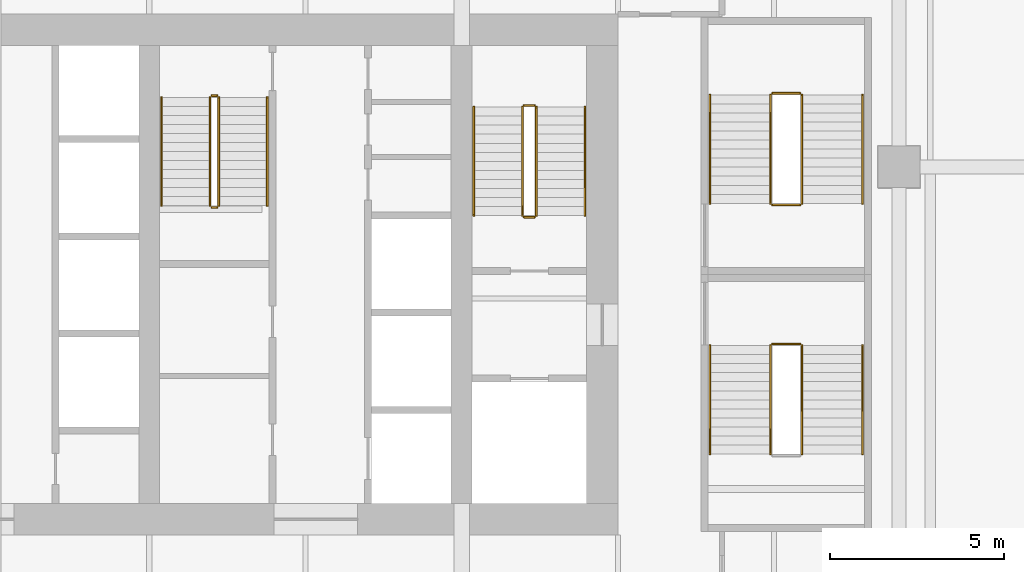
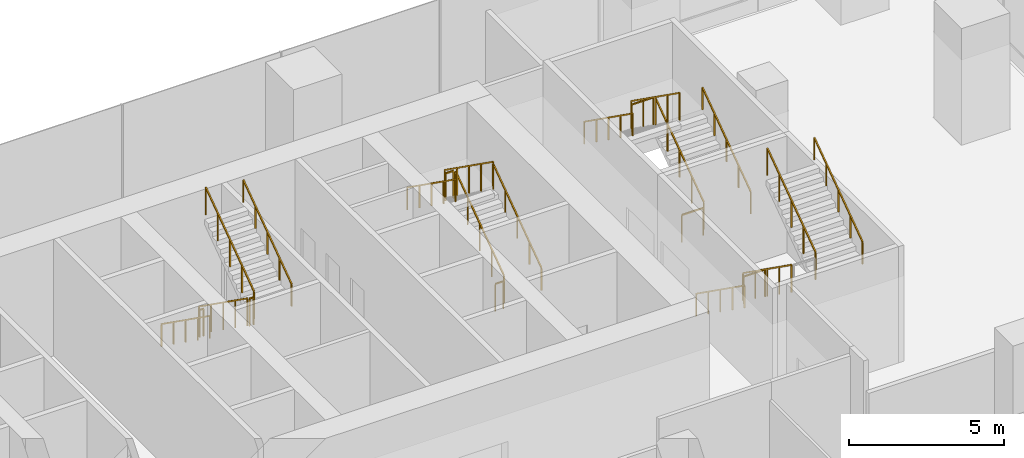
# One storey, part 28 of 29: 23 railings.
"""IFC4 building model written with IfcOpenShell, lengths in metres."""

from ifc_helpers import new_model, si_unit, direction, frame, origin, origin_2d, place, context, subcontext, project, spatial, rectangle, extrude, material, type_object, element, save


model = new_model("IFC4")

# Units and contexts
model_context = context("Model", 3, precision=1e-05, world=origin(), true_north=direction((0.0, 1.0)))
body_context = subcontext(model_context, "Body", "Model", "MODEL_VIEW")
ifc_project = project(units=[si_unit("LENGTHUNIT", "METRE"), si_unit("AREAUNIT", "SQUARE_METRE"), si_unit("VOLUMEUNIT", "CUBIC_METRE"), si_unit("PLANEANGLEUNIT", "RADIAN"), si_unit("MASSUNIT", "GRAM", prefix="KILO")], contexts=[model_context])

# Site, building, storey
site_placement = place(None, origin())
site = spatial("IfcSite", under=ifc_project, at=site_placement, CompositionType="ELEMENT")
building_placement = place(site_placement, origin())
building = spatial("IfcBuilding", under=site, at=building_placement, Name="Rattan Terrace Tower", CompositionType="ELEMENT")
storey_placement = place(building_placement, frame((0.0, 0.0, 12.60009765625)))
storey = spatial("IfcBuildingStorey", under=building, at=storey_placement, Name="L02", CompositionType="ELEMENT", Elevation=12.60009765625)

# Railings
ifc_material_1 = material(Name="Powder-coated steel guard", Category="steel")
railing_type_1 = type_object("IfcRailingType", Name="Core stair guard", PredefinedType="GUARDRAIL", material=ifc_material_1)
railing_1_placement = place(storey_placement, frame((15.64990234375, 1.699951171875, 0.1845703125)))
element("IfcRailing", 1, at=railing_1_placement, inside=storey, type_object=railing_type_1, Name="L02 S2 stair guard 1", PredefinedType="GUARDRAIL", context=body_context, shape_type="SweptSolid", body=[
    extrude(rectangle(XDim=0.048095703125, YDim=0.048095703125, at=origin_2d()), frame((0.0, 0.0, 1.076171875), z_axis=(0.0, 0.815376961211, 0.578930402662), x_axis=(-1.0, 0.0, 0.0)), (0.0, 0.0, 1.0), 3.82666015625),
    extrude(rectangle(XDim=0.0419921875, YDim=0.0419921875, at=origin_2d()), origin(), (0.0, 0.0, 1.0), 1.052001953125),
    extrude(rectangle(XDim=0.0419921875, YDim=0.0419921875, at=origin_2d()), frame((0.0, 0.780029296875, 0.5537109375)), (0.0, 0.0, 1.0), 1.052001953125),
    extrude(rectangle(XDim=0.0419921875, YDim=0.0419921875, at=origin_2d()), frame((0.0, 1.56005859375, 1.107666015625)), (0.0, 0.0, 1.0), 1.052001953125),
    extrude(rectangle(XDim=0.0419921875, YDim=0.0419921875, at=origin_2d()), frame((0.0, 2.340087890625, 1.66162109375)), (0.0, 0.0, 1.0), 1.052001953125),
    extrude(rectangle(XDim=0.0419921875, YDim=0.0419921875, at=origin_2d()), frame((0.0, 3.1201171875, 2.21533203125)), (0.0, 0.0, 1.0), 1.052001953125),
])
railing_2_placement = place(storey_placement, frame((15.60009765625, 4.8701171875, 2.39990234375)))
element("IfcRailing", 2, at=railing_2_placement, inside=storey, type_object=railing_type_1, Name="L02 S2 stair guard 2", PredefinedType="GUARDRAIL", context=body_context, shape_type="SweptSolid", body=[
    extrude(rectangle(XDim=0.048095703125, YDim=0.048095703125, at=origin_2d()), frame((0.0, 0.0, 1.076171875), z_axis=(-1.0, 0.0, 0.0), x_axis=(0.0, -1.0, 0.0)), (0.0, 0.0, 1.0), 0.300048828125),
    extrude(rectangle(XDim=0.0419921875, YDim=0.0419921875, at=origin_2d()), origin(), (0.0, 0.0, 1.0), 1.052001953125),
    extrude(rectangle(XDim=0.0419921875, YDim=0.0419921875, at=origin_2d()), frame((-0.300048828125, 0.0, 0.0)), (0.0, 0.0, 1.0), 1.052001953125),
])
railing_3_placement = place(storey_placement, frame((15.25, 4.820068359375, 2.58447265625)))
element("IfcRailing", 3, at=railing_3_placement, inside=storey, type_object=railing_type_1, Name="L02 S2 stair guard 3", PredefinedType="GUARDRAIL", context=body_context, shape_type="SweptSolid", body=[
    extrude(rectangle(XDim=0.048095703125, YDim=0.048095703125, at=origin_2d()), frame((0.0, 0.0, 1.076171875), z_axis=(0.0, -0.815376961211, 0.578930402662), x_axis=(1.0, 0.0, 0.0)), (0.0, 0.0, 1.0), 3.82666015625),
    extrude(rectangle(XDim=0.0419921875, YDim=0.0419921875, at=origin_2d()), origin(), (0.0, 0.0, 1.0), 1.052001953125),
    extrude(rectangle(XDim=0.0419921875, YDim=0.0419921875, at=origin_2d()), frame((0.0, -0.780029296875, 0.5537109375)), (0.0, 0.0, 1.0), 1.052001953125),
    extrude(rectangle(XDim=0.0419921875, YDim=0.0419921875, at=origin_2d()), frame((0.0, -1.56005859375, 1.107666015625)), (0.0, 0.0, 1.0), 1.052001953125),
    extrude(rectangle(XDim=0.0419921875, YDim=0.0419921875, at=origin_2d()), frame((0.0, -2.340087890625, 1.66162109375)), (0.0, 0.0, 1.0), 1.052001953125),
    extrude(rectangle(XDim=0.0419921875, YDim=0.0419921875, at=origin_2d()), frame((0.0, -3.1201171875, 2.21533203125)), (0.0, 0.0, 1.0), 1.052001953125),
])
railing_4_placement = place(storey_placement, frame((15.60009765625, 1.64990234375, 0.0)))
element("IfcRailing", 4, at=railing_4_placement, inside=storey, type_object=railing_type_1, Name="L02 S2 stair guard 4", PredefinedType="GUARDRAIL", context=body_context, shape_type="SweptSolid", body=[
    extrude(rectangle(XDim=0.048095703125, YDim=0.048095703125, at=origin_2d()), frame((0.0, 0.0, 1.076171875), z_axis=(-1.0, 0.0, 0.0), x_axis=(0.0, -1.0, 0.0)), (0.0, 0.0, 1.0), 0.300048828125),
    extrude(rectangle(XDim=0.0419921875, YDim=0.0419921875, at=origin_2d()), origin(), (0.0, 0.0, 1.0), 1.052001953125),
    extrude(rectangle(XDim=0.0419921875, YDim=0.0419921875, at=origin_2d()), frame((-0.300048828125, 0.0, 0.0)), (0.0, 0.0, 1.0), 1.052001953125),
])
railing_5_placement = place(storey_placement, frame((6.25, 5.10009765625, 0.1845703125)))
element("IfcRailing", 5, at=railing_5_placement, inside=storey, type_object=railing_type_1, Name="L02 S3 stair guard 1", PredefinedType="GUARDRAIL", context=body_context, shape_type="SweptSolid", body=[
    extrude(rectangle(XDim=0.048095703125, YDim=0.048095703125, at=origin_2d()), frame((0.0, 0.0, 1.076171875), z_axis=(0.0, -0.815376961211, 0.578930402662), x_axis=(1.0, 0.0, 0.0)), (0.0, 0.0, 1.0), 3.82666015625),
    extrude(rectangle(XDim=0.0419921875, YDim=0.0419921875, at=origin_2d()), origin(), (0.0, 0.0, 1.0), 1.052001953125),
    extrude(rectangle(XDim=0.0419921875, YDim=0.0419921875, at=origin_2d()), frame((0.0, -0.780029296875, 0.5537109375)), (0.0, 0.0, 1.0), 1.052001953125),
    extrude(rectangle(XDim=0.0419921875, YDim=0.0419921875, at=origin_2d()), frame((0.0, -1.56005859375, 1.107666015625)), (0.0, 0.0, 1.0), 1.052001953125),
    extrude(rectangle(XDim=0.0419921875, YDim=0.0419921875, at=origin_2d()), frame((0.0, -2.340087890625, 1.66162109375)), (0.0, 0.0, 1.0), 1.052001953125),
    extrude(rectangle(XDim=0.0419921875, YDim=0.0419921875, at=origin_2d()), frame((0.0, -3.1201171875, 2.21533203125)), (0.0, 0.0, 1.0), 1.052001953125),
])
railing_6_placement = place(storey_placement, frame((6.300048828125, 1.929931640625, 2.39990234375)))
element("IfcRailing", 6, at=railing_6_placement, inside=storey, type_object=railing_type_1, Name="L02 S3 stair guard 2", PredefinedType="GUARDRAIL", context=body_context, shape_type="SweptSolid", body=[
    extrude(rectangle(XDim=0.048095703125, YDim=0.048095703125, at=origin_2d()), frame((0.0, 0.0, 1.076171875), z_axis=(1.0, 0.0, 0.0), x_axis=(0.0, 1.0, 0.0)), (0.0, 0.0, 1.0), 0.14990234375),
    extrude(rectangle(XDim=0.0419921875, YDim=0.0419921875, at=origin_2d()), origin(), (0.0, 0.0, 1.0), 1.052001953125),
    extrude(rectangle(XDim=0.0419921875, YDim=0.0419921875, at=origin_2d()), frame((0.14990234375, 0.0, 0.0)), (0.0, 0.0, 1.0), 1.052001953125),
])
railing_7_placement = place(storey_placement, frame((6.5, 1.97998046875, 2.58447265625)))
element("IfcRailing", 7, at=railing_7_placement, inside=storey, type_object=railing_type_1, Name="L02 S3 stair guard 3", PredefinedType="GUARDRAIL", context=body_context, shape_type="SweptSolid", body=[
    extrude(rectangle(XDim=0.048095703125, YDim=0.048095703125, at=origin_2d()), frame((0.0, 0.0, 1.076171875), z_axis=(0.0, 0.815376961211, 0.578930402662), x_axis=(-1.0, 0.0, 0.0)), (0.0, 0.0, 1.0), 3.82666015625),
    extrude(rectangle(XDim=0.0419921875, YDim=0.0419921875, at=origin_2d()), origin(), (0.0, 0.0, 1.0), 1.052001953125),
    extrude(rectangle(XDim=0.0419921875, YDim=0.0419921875, at=origin_2d()), frame((0.0, 0.780029296875, 0.5537109375)), (0.0, 0.0, 1.0), 1.052001953125),
    extrude(rectangle(XDim=0.0419921875, YDim=0.0419921875, at=origin_2d()), frame((0.0, 1.56005859375, 1.107666015625)), (0.0, 0.0, 1.0), 1.052001953125),
    extrude(rectangle(XDim=0.0419921875, YDim=0.0419921875, at=origin_2d()), frame((0.0, 2.340087890625, 1.66162109375)), (0.0, 0.0, 1.0), 1.052001953125),
    extrude(rectangle(XDim=0.0419921875, YDim=0.0419921875, at=origin_2d()), frame((0.0, 3.1201171875, 2.21533203125)), (0.0, 0.0, 1.0), 1.052001953125),
])
railing_8_placement = place(storey_placement, frame((6.300048828125, 5.14990234375, 0.0)))
element("IfcRailing", 8, at=railing_8_placement, inside=storey, type_object=railing_type_1, Name="L02 S3 stair guard 4", PredefinedType="GUARDRAIL", context=body_context, shape_type="SweptSolid", body=[
    extrude(rectangle(XDim=0.048095703125, YDim=0.048095703125, at=origin_2d()), frame((0.0, 0.0, 1.076171875), z_axis=(1.0, 0.0, 0.0), x_axis=(0.0, 1.0, 0.0)), (0.0, 0.0, 1.0), 0.14990234375),
    extrude(rectangle(XDim=0.0419921875, YDim=0.0419921875, at=origin_2d()), origin(), (0.0, 0.0, 1.0), 1.052001953125),
    extrude(rectangle(XDim=0.0419921875, YDim=0.0419921875, at=origin_2d()), frame((0.14990234375, 0.0, 0.0)), (0.0, 0.0, 1.0), 1.052001953125),
])
railing_9_placement = place(storey_placement, frame((22.39990234375, -2.050048828125, 0.1845703125)))
element("IfcRailing", 9, at=railing_9_placement, inside=storey, type_object=railing_type_1, Name="L02 S6 stair guard 1", PredefinedType="GUARDRAIL", context=body_context, shape_type="SweptSolid", body=[
    extrude(rectangle(XDim=0.048095703125, YDim=0.048095703125, at=origin_2d()), frame((0.0, 0.0, 1.076171875), z_axis=(0.0, -0.815355575968, 0.57896052088), x_axis=(1.0, 0.0, 0.0)), (0.0, 0.0, 1.0), 3.826416015625),
    extrude(rectangle(XDim=0.0419921875, YDim=0.0419921875, at=origin_2d()), origin(), (0.0, 0.0, 1.0), 1.052001953125),
    extrude(rectangle(XDim=0.0419921875, YDim=0.0419921875, at=origin_2d()), frame((0.0, -0.780029296875, 0.5537109375)), (0.0, 0.0, 1.0), 1.052001953125),
    extrude(rectangle(XDim=0.0419921875, YDim=0.0419921875, at=origin_2d()), frame((0.0, -1.56005859375, 1.107666015625)), (0.0, 0.0, 1.0), 1.052001953125),
    extrude(rectangle(XDim=0.0419921875, YDim=0.0419921875, at=origin_2d()), frame((0.0, -2.33984375, 1.66162109375)), (0.0, 0.0, 1.0), 1.052001953125),
    extrude(rectangle(XDim=0.0419921875, YDim=0.0419921875, at=origin_2d()), frame((0.0, -3.119873046875, 2.21533203125)), (0.0, 0.0, 1.0), 1.052001953125),
])
railing_10_placement = place(storey_placement, frame((23.300048828125, -5.169921875, 2.58447265625)))
element("IfcRailing", 10, at=railing_10_placement, inside=storey, type_object=railing_type_1, Name="L02 S6 stair guard 3", PredefinedType="GUARDRAIL", context=body_context, shape_type="SweptSolid", body=[
    extrude(rectangle(XDim=0.048095703125, YDim=0.048095703125, at=origin_2d()), frame((0.0, 0.0, 1.076171875), z_axis=(0.0, 0.815355575968, 0.57896052088), x_axis=(-1.0, 0.0, 0.0)), (0.0, 0.0, 1.0), 3.826416015625),
    extrude(rectangle(XDim=0.0419921875, YDim=0.0419921875, at=origin_2d()), origin(), (0.0, 0.0, 1.0), 1.052001953125),
    extrude(rectangle(XDim=0.0419921875, YDim=0.0419921875, at=origin_2d()), frame((0.0, 0.780029296875, 0.5537109375)), (0.0, 0.0, 1.0), 1.052001953125),
    extrude(rectangle(XDim=0.0419921875, YDim=0.0419921875, at=origin_2d()), frame((0.0, 1.56005859375, 1.107666015625)), (0.0, 0.0, 1.0), 1.052001953125),
    extrude(rectangle(XDim=0.0419921875, YDim=0.0419921875, at=origin_2d()), frame((0.0, 2.33984375, 1.66162109375)), (0.0, 0.0, 1.0), 1.052001953125),
    extrude(rectangle(XDim=0.0419921875, YDim=0.0419921875, at=origin_2d()), frame((0.0, 3.119873046875, 2.21533203125)), (0.0, 0.0, 1.0), 1.052001953125),
])
railing_11_placement = place(storey_placement, frame((22.449951171875, -2.0, 0.0)))
element("IfcRailing", 11, at=railing_11_placement, inside=storey, type_object=railing_type_1, Name="L02 S6 stair guard 4", PredefinedType="GUARDRAIL", context=body_context, shape_type="SweptSolid", body=[
    extrude(rectangle(XDim=0.048095703125, YDim=0.048095703125, at=origin_2d()), frame((0.0, 0.0, 1.076171875), z_axis=(1.0, 0.0, 0.0), x_axis=(0.0, 1.0, 0.0)), (0.0, 0.0, 1.0), 0.800048828125),
    extrude(rectangle(XDim=0.0419921875, YDim=0.0419921875, at=origin_2d()), origin(), (0.0, 0.0, 1.0), 1.052001953125),
    extrude(rectangle(XDim=0.0419921875, YDim=0.0419921875, at=origin_2d()), frame((0.800048828125, 0.0, 0.0)), (0.0, 0.0, 1.0), 1.052001953125),
])
railing_12_placement = place(storey_placement, frame((23.300048828125, 2.050048828125, 0.1845703125)))
element("IfcRailing", 12, at=railing_12_placement, inside=storey, type_object=railing_type_1, Name="L02 S7 stair guard 1", PredefinedType="GUARDRAIL", context=body_context, shape_type="SweptSolid", body=[
    extrude(rectangle(XDim=0.048095703125, YDim=0.048095703125, at=origin_2d()), frame((0.0, 0.0, 1.076171875), z_axis=(0.0, 0.815355575968, 0.57896052088), x_axis=(-1.0, 0.0, 0.0)), (0.0, 0.0, 1.0), 3.826416015625),
    extrude(rectangle(XDim=0.0419921875, YDim=0.0419921875, at=origin_2d()), origin(), (0.0, 0.0, 1.0), 1.052001953125),
    extrude(rectangle(XDim=0.0419921875, YDim=0.0419921875, at=origin_2d()), frame((0.0, 0.780029296875, 0.5537109375)), (0.0, 0.0, 1.0), 1.052001953125),
    extrude(rectangle(XDim=0.0419921875, YDim=0.0419921875, at=origin_2d()), frame((0.0, 1.56005859375, 1.107666015625)), (0.0, 0.0, 1.0), 1.052001953125),
    extrude(rectangle(XDim=0.0419921875, YDim=0.0419921875, at=origin_2d()), frame((0.0, 2.33984375, 1.66162109375)), (0.0, 0.0, 1.0), 1.052001953125),
    extrude(rectangle(XDim=0.0419921875, YDim=0.0419921875, at=origin_2d()), frame((0.0, 3.119873046875, 2.21533203125)), (0.0, 0.0, 1.0), 1.052001953125),
])
railing_13_placement = place(storey_placement, frame((23.25, 5.219970703125, 2.39990234375)))
element("IfcRailing", 13, at=railing_13_placement, inside=storey, type_object=railing_type_1, Name="L02 S7 stair guard 2", PredefinedType="GUARDRAIL", context=body_context, shape_type="SweptSolid", body=[
    extrude(rectangle(XDim=0.048095703125, YDim=0.048095703125, at=origin_2d()), frame((0.0, 0.0, 1.076171875), z_axis=(-1.0, 0.0, 0.0), x_axis=(0.0, -1.0, 0.0)), (0.0, 0.0, 1.0), 0.800048828125),
    extrude(rectangle(XDim=0.0419921875, YDim=0.0419921875, at=origin_2d()), origin(), (0.0, 0.0, 1.0), 1.052001953125),
    extrude(rectangle(XDim=0.0419921875, YDim=0.0419921875, at=origin_2d()), frame((-0.800048828125, 0.0, 0.0)), (0.0, 0.0, 1.0), 1.052001953125),
])
railing_14_placement = place(storey_placement, frame((22.39990234375, 5.169921875, 2.58447265625)))
element("IfcRailing", 14, at=railing_14_placement, inside=storey, type_object=railing_type_1, Name="L02 S7 stair guard 3", PredefinedType="GUARDRAIL", context=body_context, shape_type="SweptSolid", body=[
    extrude(rectangle(XDim=0.048095703125, YDim=0.048095703125, at=origin_2d()), frame((0.0, 0.0, 1.076171875), z_axis=(0.0, -0.815355575968, 0.57896052088), x_axis=(1.0, 0.0, 0.0)), (0.0, 0.0, 1.0), 3.826416015625),
    extrude(rectangle(XDim=0.0419921875, YDim=0.0419921875, at=origin_2d()), origin(), (0.0, 0.0, 1.0), 1.052001953125),
    extrude(rectangle(XDim=0.0419921875, YDim=0.0419921875, at=origin_2d()), frame((0.0, -0.780029296875, 0.5537109375)), (0.0, 0.0, 1.0), 1.052001953125),
    extrude(rectangle(XDim=0.0419921875, YDim=0.0419921875, at=origin_2d()), frame((0.0, -1.56005859375, 1.107666015625)), (0.0, 0.0, 1.0), 1.052001953125),
    extrude(rectangle(XDim=0.0419921875, YDim=0.0419921875, at=origin_2d()), frame((0.0, -2.33984375, 1.66162109375)), (0.0, 0.0, 1.0), 1.052001953125),
    extrude(rectangle(XDim=0.0419921875, YDim=0.0419921875, at=origin_2d()), frame((0.0, -3.119873046875, 2.21533203125)), (0.0, 0.0, 1.0), 1.052001953125),
])
railing_15_placement = place(storey_placement, frame((23.25, 2.0, 0.0)))
element("IfcRailing", 15, at=railing_15_placement, inside=storey, type_object=railing_type_1, Name="L02 S7 stair guard 4", PredefinedType="GUARDRAIL", context=body_context, shape_type="SweptSolid", body=[
    extrude(rectangle(XDim=0.048095703125, YDim=0.048095703125, at=origin_2d()), frame((0.0, 0.0, 1.076171875), z_axis=(-1.0, 0.0, 0.0), x_axis=(0.0, -1.0, 0.0)), (0.0, 0.0, 1.0), 0.800048828125),
    extrude(rectangle(XDim=0.0419921875, YDim=0.0419921875, at=origin_2d()), origin(), (0.0, 0.0, 1.0), 1.052001953125),
    extrude(rectangle(XDim=0.0419921875, YDim=0.0419921875, at=origin_2d()), frame((-0.800048828125, 0.0, 0.0)), (0.0, 0.0, 1.0), 1.052001953125),
])
ifc_material_2 = material(Name="Powder-coated steel handrail", Category="steel")
railing_type_2 = type_object("IfcRailingType", Name="Core stair handrail", PredefinedType="HANDRAIL", material=ifc_material_2)
railing_16_placement = place(storey_placement, frame((17.050048828125, 1.699951171875, 0.1845703125)))
element("IfcRailing", 16, at=railing_16_placement, inside=storey, type_object=railing_type_2, Name="L02 S2 stair handrail 1", PredefinedType="HANDRAIL", context=body_context, shape_type="SweptSolid", body=[
    extrude(rectangle(XDim=0.048095703125, YDim=0.048095703125, at=origin_2d()), frame((0.0, 0.0, 0.8759765625), z_axis=(0.0, 0.815376961211, 0.578930402662), x_axis=(-1.0, 0.0, 0.0)), (0.0, 0.0, 1.0), 3.82666015625),
    extrude(rectangle(XDim=0.0419921875, YDim=0.0419921875, at=origin_2d()), origin(), (0.0, 0.0, 1.0), 0.851806640625),
    extrude(rectangle(XDim=0.0419921875, YDim=0.0419921875, at=origin_2d()), frame((0.0, 0.780029296875, 0.5537109375)), (0.0, 0.0, 1.0), 0.851806640625),
    extrude(rectangle(XDim=0.0419921875, YDim=0.0419921875, at=origin_2d()), frame((0.0, 1.56005859375, 1.107666015625)), (0.0, 0.0, 1.0), 0.851806640625),
    extrude(rectangle(XDim=0.0419921875, YDim=0.0419921875, at=origin_2d()), frame((0.0, 2.340087890625, 1.66162109375)), (0.0, 0.0, 1.0), 0.851806640625),
    extrude(rectangle(XDim=0.0419921875, YDim=0.0419921875, at=origin_2d()), frame((0.0, 3.1201171875, 2.21533203125)), (0.0, 0.0, 1.0), 0.851806640625),
])
for number, where, name in (
    (17, (13.85009765625, 4.820068359375, 2.58447265625), "L02 S2 stair handrail 2"),
    (18, (4.85009765625, 5.10009765625, 0.1845703125), "L02 S3 stair handrail 1"),
):
    element("IfcRailing", number, at=place(storey_placement, frame(where)), inside=storey, type_object=railing_type_2, Name=name, PredefinedType="HANDRAIL", context=body_context, shape_type="SweptSolid", body=[
        extrude(rectangle(XDim=0.048095703125, YDim=0.048095703125, at=origin_2d()), frame((0.0, 0.0, 0.8759765625), z_axis=(0.0, -0.815376961211, 0.578930402662), x_axis=(1.0, 0.0, 0.0)), (0.0, 0.0, 1.0), 3.82666015625),
        extrude(rectangle(XDim=0.0419921875, YDim=0.0419921875, at=origin_2d()), origin(), (0.0, 0.0, 1.0), 0.851806640625),
        extrude(rectangle(XDim=0.0419921875, YDim=0.0419921875, at=origin_2d()), frame((0.0, -0.780029296875, 0.5537109375)), (0.0, 0.0, 1.0), 0.851806640625),
        extrude(rectangle(XDim=0.0419921875, YDim=0.0419921875, at=origin_2d()), frame((0.0, -1.56005859375, 1.107666015625)), (0.0, 0.0, 1.0), 0.851806640625),
        extrude(rectangle(XDim=0.0419921875, YDim=0.0419921875, at=origin_2d()), frame((0.0, -2.340087890625, 1.66162109375)), (0.0, 0.0, 1.0), 0.851806640625),
        extrude(rectangle(XDim=0.0419921875, YDim=0.0419921875, at=origin_2d()), frame((0.0, -3.1201171875, 2.21533203125)), (0.0, 0.0, 1.0), 0.851806640625),
    ])
railing_17_placement = place(storey_placement, frame((7.89990234375, 1.97998046875, 2.58447265625)))
element("IfcRailing", 19, at=railing_17_placement, inside=storey, type_object=railing_type_2, Name="L02 S3 stair handrail 2", PredefinedType="HANDRAIL", context=body_context, shape_type="SweptSolid", body=[
    extrude(rectangle(XDim=0.048095703125, YDim=0.048095703125, at=origin_2d()), frame((0.0, 0.0, 0.8759765625), z_axis=(0.0, 0.815376961211, 0.578930402662), x_axis=(-1.0, 0.0, 0.0)), (0.0, 0.0, 1.0), 3.82666015625),
    extrude(rectangle(XDim=0.0419921875, YDim=0.0419921875, at=origin_2d()), origin(), (0.0, 0.0, 1.0), 0.851806640625),
    extrude(rectangle(XDim=0.0419921875, YDim=0.0419921875, at=origin_2d()), frame((0.0, 0.780029296875, 0.5537109375)), (0.0, 0.0, 1.0), 0.851806640625),
    extrude(rectangle(XDim=0.0419921875, YDim=0.0419921875, at=origin_2d()), frame((0.0, 1.56005859375, 1.107666015625)), (0.0, 0.0, 1.0), 0.851806640625),
    extrude(rectangle(XDim=0.0419921875, YDim=0.0419921875, at=origin_2d()), frame((0.0, 2.340087890625, 1.66162109375)), (0.0, 0.0, 1.0), 0.851806640625),
    extrude(rectangle(XDim=0.0419921875, YDim=0.0419921875, at=origin_2d()), frame((0.0, 3.1201171875, 2.21533203125)), (0.0, 0.0, 1.0), 0.851806640625),
])
railing_18_placement = place(storey_placement, frame((20.64990234375, -2.050048828125, 0.1845703125)))
element("IfcRailing", 20, at=railing_18_placement, inside=storey, type_object=railing_type_2, Name="L02 S6 stair handrail 1", PredefinedType="HANDRAIL", context=body_context, shape_type="SweptSolid", body=[
    extrude(rectangle(XDim=0.048095703125, YDim=0.048095703125, at=origin_2d()), frame((0.0, 0.0, 0.8759765625), z_axis=(0.0, -0.815355575968, 0.57896052088), x_axis=(1.0, 0.0, 0.0)), (0.0, 0.0, 1.0), 3.826416015625),
    extrude(rectangle(XDim=0.0419921875, YDim=0.0419921875, at=origin_2d()), origin(), (0.0, 0.0, 1.0), 0.851806640625),
    extrude(rectangle(XDim=0.0419921875, YDim=0.0419921875, at=origin_2d()), frame((0.0, -0.780029296875, 0.5537109375)), (0.0, 0.0, 1.0), 0.851806640625),
    extrude(rectangle(XDim=0.0419921875, YDim=0.0419921875, at=origin_2d()), frame((0.0, -1.56005859375, 1.107666015625)), (0.0, 0.0, 1.0), 0.851806640625),
    extrude(rectangle(XDim=0.0419921875, YDim=0.0419921875, at=origin_2d()), frame((0.0, -2.33984375, 1.66162109375)), (0.0, 0.0, 1.0), 0.851806640625),
    extrude(rectangle(XDim=0.0419921875, YDim=0.0419921875, at=origin_2d()), frame((0.0, -3.119873046875, 2.21533203125)), (0.0, 0.0, 1.0), 0.851806640625),
])
for number, where, name in (
    (21, (25.050048828125, -5.169921875, 2.58447265625), "L02 S6 stair handrail 2"),
    (22, (25.050048828125, 2.050048828125, 0.1845703125), "L02 S7 stair handrail 1"),
):
    element("IfcRailing", number, at=place(storey_placement, frame(where)), inside=storey, type_object=railing_type_2, Name=name, PredefinedType="HANDRAIL", context=body_context, shape_type="SweptSolid", body=[
        extrude(rectangle(XDim=0.048095703125, YDim=0.048095703125, at=origin_2d()), frame((0.0, 0.0, 0.8759765625), z_axis=(0.0, 0.815355575968, 0.57896052088), x_axis=(-1.0, 0.0, 0.0)), (0.0, 0.0, 1.0), 3.826416015625),
        extrude(rectangle(XDim=0.0419921875, YDim=0.0419921875, at=origin_2d()), origin(), (0.0, 0.0, 1.0), 0.851806640625),
        extrude(rectangle(XDim=0.0419921875, YDim=0.0419921875, at=origin_2d()), frame((0.0, 0.780029296875, 0.5537109375)), (0.0, 0.0, 1.0), 0.851806640625),
        extrude(rectangle(XDim=0.0419921875, YDim=0.0419921875, at=origin_2d()), frame((0.0, 1.56005859375, 1.107666015625)), (0.0, 0.0, 1.0), 0.851806640625),
        extrude(rectangle(XDim=0.0419921875, YDim=0.0419921875, at=origin_2d()), frame((0.0, 2.33984375, 1.66162109375)), (0.0, 0.0, 1.0), 0.851806640625),
        extrude(rectangle(XDim=0.0419921875, YDim=0.0419921875, at=origin_2d()), frame((0.0, 3.119873046875, 2.21533203125)), (0.0, 0.0, 1.0), 0.851806640625),
    ])
railing_19_placement = place(storey_placement, frame((20.64990234375, 5.169921875, 2.58447265625)))
element("IfcRailing", 23, at=railing_19_placement, inside=storey, type_object=railing_type_2, Name="L02 S7 stair handrail 2", PredefinedType="HANDRAIL", context=body_context, shape_type="SweptSolid", body=[
    extrude(rectangle(XDim=0.048095703125, YDim=0.048095703125, at=origin_2d()), frame((0.0, 0.0, 0.8759765625), z_axis=(0.0, -0.815355575968, 0.57896052088), x_axis=(1.0, 0.0, 0.0)), (0.0, 0.0, 1.0), 3.826416015625),
    extrude(rectangle(XDim=0.0419921875, YDim=0.0419921875, at=origin_2d()), origin(), (0.0, 0.0, 1.0), 0.851806640625),
    extrude(rectangle(XDim=0.0419921875, YDim=0.0419921875, at=origin_2d()), frame((0.0, -0.780029296875, 0.5537109375)), (0.0, 0.0, 1.0), 0.851806640625),
    extrude(rectangle(XDim=0.0419921875, YDim=0.0419921875, at=origin_2d()), frame((0.0, -1.56005859375, 1.107666015625)), (0.0, 0.0, 1.0), 0.851806640625),
    extrude(rectangle(XDim=0.0419921875, YDim=0.0419921875, at=origin_2d()), frame((0.0, -2.33984375, 1.66162109375)), (0.0, 0.0, 1.0), 0.851806640625),
    extrude(rectangle(XDim=0.0419921875, YDim=0.0419921875, at=origin_2d()), frame((0.0, -3.119873046875, 2.21533203125)), (0.0, 0.0, 1.0), 0.851806640625),
])

save(model, "model.ifc")
